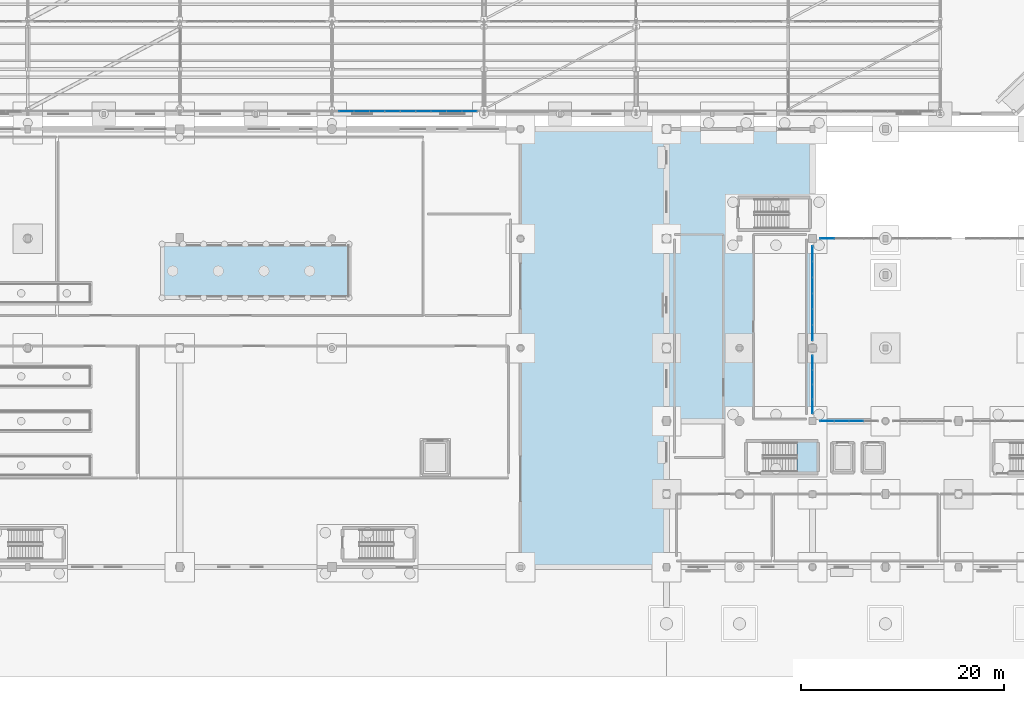
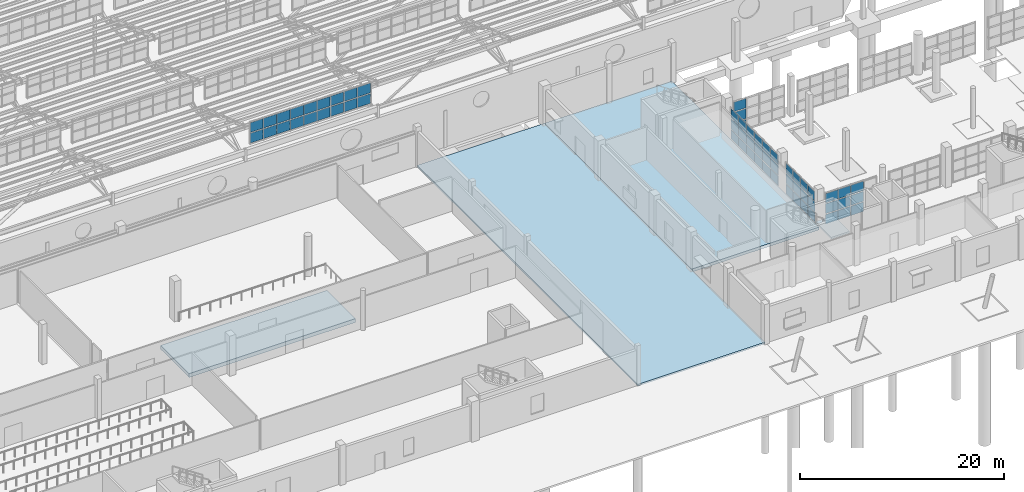
# One storey, part 163 of 285: 60 plates, 4 slabs, 6 elements without a shape of their own.
"""IFC4 building model written with IfcOpenShell, lengths in metres."""

import ifcopenshell
import ifcopenshell.guid

model = None  # the IFC model being written
_history = None  # IfcOwnerHistory: only IFC2X3 demands one
_inside = {}  # id of a spatial element -> (the spatial element, [elements in it])
_under = {}  # id of a project, library or spatial element -> (it, [spatial elements below it])
_declared = {}  # id of a project -> (the project, [libraries it declares])
_typed = {}  # id of a type object -> (the type object, [elements of that type])
_made_of = {}  # id of a material, layer set ... -> (it, [elements and type objects made of it])


def new_model(schema):
    """Start an empty IFC model of exactly this schema.

    Asked for "IFC4X3", IfcOpenShell would pick the latest addendum, in which some entities
    have other attributes; the version numbers below select the first issue.
    IFC2X3 requires an IfcOwnerHistory on every rooted entity: one is made here for all.
    """
    global model, _history
    if schema == "IFC4X3":
        model = ifcopenshell.file(schema_version=(4, 3, 0, 0))
    else:
        model = ifcopenshell.file(schema=schema)
    _inside.clear()
    _under.clear()
    _declared.clear()
    _typed.clear()
    _made_of.clear()
    _history = None
    if model.schema == "IFC2X3":
        org = make("IfcOrganization", Name="unknown")
        user = make(
            "IfcPersonAndOrganization",
            ThePerson=make("IfcPerson", FamilyName="unknown"),
            TheOrganization=org,
        )
        app = make(
            "IfcApplication",
            ApplicationDeveloper=org,
            Version="unknown",
            ApplicationFullName="unknown",
            ApplicationIdentifier="unknown",
        )
        _history = make(
            "IfcOwnerHistory",
            OwningUser=user,
            OwningApplication=app,
            ChangeAction="ADDED",
            CreationDate=0,
        )
    return model


def make(cls, **values):
    """One entity of the class cls with the attributes given. An attribute that is None is left unset."""
    return model.create_entity(
        cls, **{name: value for name, value in values.items() if value is not None}
    )


def rooted(cls, **values):
    """An entity with a GlobalId (a new one), such as an element, a storey or a relation."""
    return make(cls, GlobalId=ifcopenshell.guid.new(), OwnerHistory=_history, **values)


def si_unit(unit_type, name, prefix=None):
    """IfcSIUnit, for example si_unit("LENGTHUNIT", "METRE", prefix="MILLI")."""
    return make("IfcSIUnit", UnitType=unit_type, Prefix=prefix, Name=name)


def assignment(units):
    """IfcUnitAssignment: the units of a project."""
    return None if units is None else make("IfcUnitAssignment", Units=units)


def point(xyz):
    """IfcCartesianPoint."""
    return None if xyz is None else make("IfcCartesianPoint", Coordinates=xyz)


def direction(xyz):
    """IfcDirection."""
    return None if xyz is None else make("IfcDirection", DirectionRatios=xyz)


def frame(location, z_axis=None, x_axis=None):
    """IfcAxis2Placement3D, a coordinate frame: its origin and axes. An axis left out is left unset."""
    return make(
        "IfcAxis2Placement3D",
        Location=point(location),
        Axis=direction(z_axis),
        RefDirection=direction(x_axis),
    )


def frame_2d(location, x_axis=None):
    """IfcAxis2Placement2D, a coordinate frame in the plane: its origin and x axis."""
    return make(
        "IfcAxis2Placement2D", Location=point(location), RefDirection=direction(x_axis)
    )


def origin():
    """The frame at (0, 0, 0) with its axes left unset."""
    return frame((0.0, 0.0, 0.0))


def origin_2d():
    """The frame at (0, 0) in the plane with its x axis left unset."""
    return frame_2d((0.0, 0.0))


def place(relative_to, where):
    """IfcLocalPlacement: puts the frame where relative to a parent placement (None: the world)."""
    return make(
        "IfcLocalPlacement", PlacementRelTo=relative_to, RelativePlacement=where
    )


def context(
    kind, dimensions, precision=None, world=None, true_north=None, identifier=None
):
    """IfcGeometricRepresentationContext, for example the 3D "Model" context."""
    return make(
        "IfcGeometricRepresentationContext",
        ContextIdentifier=identifier,
        ContextType=kind,
        CoordinateSpaceDimension=dimensions,
        Precision=precision,
        WorldCoordinateSystem=world,
        TrueNorth=true_north,
    )


def subcontext(parent, identifier, kind, view, scale=None):
    """IfcGeometricRepresentationSubContext, for example "Body" below "Model"."""
    return make(
        "IfcGeometricRepresentationSubContext",
        ContextIdentifier=identifier,
        ContextType=kind,
        ParentContext=parent,
        TargetScale=scale,
        TargetView=view,
    )


def project(units=None, contexts=None):
    """IfcProject with its units and contexts."""
    return rooted(
        "IfcProject",
        Name="project",
        RepresentationContexts=contexts,
        UnitsInContext=assignment(units),
    )


def spatial(cls, under=None, at=None, **own):
    """A site, building, storey or space (cls), placed at a placement, below another one or the project."""
    s = rooted(cls, ObjectPlacement=at, **own)
    if under is not None:
        _under.setdefault(under.id(), (under, []))[1].append(s)
    return s


def polyline(points):
    """IfcPolyline through the points."""
    return make("IfcPolyline", Points=[point(p) for p in points])


def profile(cls, at=None, kind="AREA", **sizes):
    """A parametric profile (cls). Its sizes go by their IFC names, for example OverallWidth=200.0."""
    return make(cls, ProfileType=kind, Position=at, **sizes)


def rectangle(**sizes):
    """IfcRectangleProfileDef."""
    return profile("IfcRectangleProfileDef", **sizes)


def outline(outer, holes=None, kind="AREA"):
    """IfcArbitraryClosedProfileDef: a profile drawn as a closed curve; with holes, ...WithVoids."""
    if holes is None:
        return make("IfcArbitraryClosedProfileDef", ProfileType=kind, OuterCurve=outer)
    return make(
        "IfcArbitraryProfileDefWithVoids",
        ProfileType=kind,
        OuterCurve=outer,
        InnerCurves=holes,
    )


def extrude(swept, where, along, depth):
    """IfcExtrudedAreaSolid: the profile swept, set in the frame where, extruded along a direction by depth."""
    return make(
        "IfcExtrudedAreaSolid",
        SweptArea=swept,
        Position=where,
        ExtrudedDirection=direction(along),
        Depth=depth,
    )


def shape(context_of_items, identifier, shape_type, items):
    """IfcShapeRepresentation: the items that make up one representation, for example the "Body"."""
    return make(
        "IfcShapeRepresentation",
        ContextOfItems=context_of_items,
        RepresentationIdentifier=identifier,
        RepresentationType=shape_type,
        Items=items,
    )


def material(Name=None, Category=None):
    """IfcMaterial."""
    return make("IfcMaterial", Name=Name, Category=Category)


def layer(
    of_material, thickness, ventilated=None, Name=None, Category=None, Priority=None
):
    """IfcMaterialLayer: one layer of a wall or slab, of a material (None: an air gap)."""
    return make(
        "IfcMaterialLayer",
        Material=of_material,
        LayerThickness=thickness,
        IsVentilated=ventilated,
        Name=Name,
        Category=Category,
        Priority=Priority,
    )


def layer_set(layers, Name=None):
    """IfcMaterialLayerSet."""
    return make("IfcMaterialLayerSet", MaterialLayers=layers, LayerSetName=Name)


def made_of(thing, what):
    """Note that an element or type object is made of a material, layer set ...; save() writes the relation."""
    if what is not None:
        _made_of.setdefault(what.id(), (what, []))[1].append(thing)
    return thing


def type_object(cls, material=None, **own):
    """A type object (cls), such as IfcWallType, which elements share."""
    return made_of(rooted(cls, **own), material)


def element(
    cls,
    number,
    at=None,
    inside=None,
    cuts=None,
    type_object=None,
    material=None,
    context=None,
    identifier="Body",
    shape_type=None,
    held_by="IfcProductDefinitionShape",
    body=None,
    shapes=None,
    **own,
):
    """One element of the class cls, such as IfcWall. Its Tag is "e" and its number.

    at: its placement. inside: the storey or other place that contains it. cuts: it is an
    opening in that element (IfcRelVoidsElement). A single representation is given by context,
    identifier, shape_type and body (its items); several are given by shapes. held_by: the class
    of the entity that holds the representations. save() writes the other relations.
    """
    e = rooted(cls, Tag="e%d" % number, ObjectPlacement=at, **own)
    if body is not None:
        shapes = [shape(context, identifier, shape_type, body)]
    if shapes is not None:
        e.Representation = make(held_by, Representations=shapes)
    if inside is not None:
        _inside.setdefault(inside.id(), (inside, []))[1].append(e)
    if cuts is not None:
        rooted(
            "IfcRelVoidsElement", RelatingBuildingElement=cuts, RelatedOpeningElement=e
        )
    if type_object is not None:
        _typed.setdefault(type_object.id(), (type_object, []))[1].append(e)
    return made_of(e, material)


def aggregate(whole, parts):
    """IfcRelAggregates: a whole, such as a stair, and the parts it consists of."""
    return rooted("IfcRelAggregates", RelatingObject=whole, RelatedObjects=parts)


def save(model, path):
    """Write the relations noted so far, then the file.

    IfcRelAggregates (storeys below a building ...), IfcRelContainedInSpatialStructure (elements
    in a storey), IfcRelDefinesByType, IfcRelAssociatesMaterial and IfcRelDeclares: one each for
    every whole, place, type object, material and project.
    """
    for whole, parts in _under.values():
        aggregate(whole, parts)
    for where, things in _inside.values():
        rooted(
            "IfcRelContainedInSpatialStructure",
            RelatedElements=things,
            RelatingStructure=where,
        )
    for kind, things in _typed.values():
        rooted("IfcRelDefinesByType", RelatedObjects=things, RelatingType=kind)
    for what, things in _made_of.values():
        rooted("IfcRelAssociatesMaterial", RelatedObjects=things, RelatingMaterial=what)
    for by, libraries in _declared.values():
        rooted("IfcRelDeclares", RelatingContext=by, RelatedDefinitions=libraries)
    model.write(path)


model = new_model("IFC4")

# Units and contexts
model_context = context("Model", 3, precision=1e-05, world=origin(), true_north=direction((0.0, 1.0)))
body_context = subcontext(model_context, "Body", "Model", "MODEL_VIEW")
ifc_project = project(units=[si_unit("LENGTHUNIT", "METRE"), si_unit("AREAUNIT", "SQUARE_METRE"), si_unit("VOLUMEUNIT", "CUBIC_METRE"), si_unit("PLANEANGLEUNIT", "RADIAN"), si_unit("MASSUNIT", "GRAM", prefix="KILO")], contexts=[model_context])

# Site, building, storey
site_placement = place(None, origin())
site = spatial("IfcSite", under=ifc_project, at=site_placement, CompositionType="ELEMENT")
building_placement = place(site_placement, origin())
building = spatial("IfcBuilding", under=site, at=building_placement, Name="Solanera Park Tramway Depot", CompositionType="ELEMENT")
storey_placement = place(building_placement, origin())
storey = spatial("IfcBuildingStorey", under=building, at=storey_placement, Name="L00", CompositionType="ELEMENT", Elevation=0.0)

# Curtain wall, plates
ifc_material_1 = material(Name="Bronze-anodised thermally broken aluminium curtain wall", Category="aluminium")
curtain_wall_type_1 = type_object("IfcCurtainWallType", Name="Sawtooth Clerestory Monitor Curtain Wall", PredefinedType="NOTDEFINED", material=ifc_material_1)
curtain_wall_1_placement = place(storey_placement, origin())
curtain_wall_1 = element("IfcCurtainWall", 1, at=curtain_wall_1_placement, inside=storey, type_object=curtain_wall_type_1, Name="L00 Sawtooth Clerestory Monitor Curtain Wall #002", PredefinedType="NOTDEFINED")
ifc_material_2 = material(Name="Low-E laminated solar-control double glazing", Category="glass")
ifc_layer_1 = layer(ifc_material_2, 0.028076171875)
ifc_layer_set_1 = layer_set([ifc_layer_1], Name="Low-E laminated solar-control double glazing")
plate_type = type_object("IfcPlateType", Name="Curtain Wall Double Glazing Panel 28", PredefinedType="CURTAIN_PANEL", material=ifc_layer_set_1)
plate_1_placement = place(storey_placement, frame((76.427490234375, 55.75, 7.862060546875), z_axis=(0.0, 0.0, 1.0), x_axis=(1.0, 0.0, 0.0)))
plate_1 = element("IfcPlate", 2, at=plate_1_placement, type_object=plate_type, Name="CW-L00-002 Glazing Panel R1.C1", PredefinedType="CURTAIN_PANEL", context=body_context, shape_type="SweptSolid", body=[
    extrude(rectangle(XDim=1.437744140625, YDim=0.028076171875, at=origin_2d()), origin(), (0.0, 0.0, 1.0), 1.16650390625),
])
plate_2_placement = place(storey_placement, frame((77.933349609375, 55.75, 7.862060546875), z_axis=(0.0, 0.0, 1.0), x_axis=(1.0, 0.0, 0.0)))
plate_2 = element("IfcPlate", 3, at=plate_2_placement, type_object=plate_type, Name="CW-L00-002 Glazing Panel R1.C2", PredefinedType="CURTAIN_PANEL", context=body_context, shape_type="SweptSolid", body=[
    extrude(rectangle(XDim=1.47021484375, YDim=0.028076171875, at=origin_2d()), origin(), (0.0, 0.0, 1.0), 1.16650390625),
])
plate_3_placement = place(storey_placement, frame((79.45556640625, 55.75, 7.862060546875), z_axis=(0.0, 0.0, 1.0), x_axis=(1.0, 0.0, 0.0)))
plate_3 = element("IfcPlate", 4, at=plate_3_placement, type_object=plate_type, Name="CW-L00-002 Glazing Panel R1.C3", PredefinedType="CURTAIN_PANEL", context=body_context, shape_type="SweptSolid", body=[
    extrude(rectangle(XDim=1.47021484375, YDim=0.028076171875, at=origin_2d()), origin(), (0.0, 0.0, 1.0), 1.16650390625),
])
plate_4_placement = place(storey_placement, frame((80.977783203125, 55.75, 7.862060546875), z_axis=(0.0, 0.0, 1.0), x_axis=(1.0, 0.0, 0.0)))
plate_4 = element("IfcPlate", 5, at=plate_4_placement, type_object=plate_type, Name="CW-L00-002 Glazing Panel R1.C4", PredefinedType="CURTAIN_PANEL", context=body_context, shape_type="SweptSolid", body=[
    extrude(rectangle(XDim=1.47021484375, YDim=0.028076171875, at=origin_2d()), origin(), (0.0, 0.0, 1.0), 1.16650390625),
])
plate_5_placement = place(storey_placement, frame((82.5, 55.75, 7.862060546875), z_axis=(0.0, 0.0, 1.0), x_axis=(1.0, 0.0, 0.0)))
plate_5 = element("IfcPlate", 6, at=plate_5_placement, type_object=plate_type, Name="CW-L00-002 Glazing Panel R1.C5", PredefinedType="CURTAIN_PANEL", context=body_context, shape_type="SweptSolid", body=[
    extrude(rectangle(XDim=1.47021484375, YDim=0.028076171875, at=origin_2d()), origin(), (0.0, 0.0, 1.0), 1.16650390625),
])
plate_6_placement = place(storey_placement, frame((84.022216796875, 55.75, 7.862060546875), z_axis=(0.0, 0.0, 1.0), x_axis=(1.0, 0.0, 0.0)))
plate_6 = element("IfcPlate", 7, at=plate_6_placement, type_object=plate_type, Name="CW-L00-002 Glazing Panel R1.C6", PredefinedType="CURTAIN_PANEL", context=body_context, shape_type="SweptSolid", body=[
    extrude(rectangle(XDim=1.47021484375, YDim=0.028076171875, at=origin_2d()), origin(), (0.0, 0.0, 1.0), 1.16650390625),
])
plate_7_placement = place(storey_placement, frame((85.54443359375, 55.75, 7.862060546875), z_axis=(0.0, 0.0, 1.0), x_axis=(1.0, 0.0, 0.0)))
plate_7 = element("IfcPlate", 8, at=plate_7_placement, type_object=plate_type, Name="CW-L00-002 Glazing Panel R1.C7", PredefinedType="CURTAIN_PANEL", context=body_context, shape_type="SweptSolid", body=[
    extrude(rectangle(XDim=1.47021484375, YDim=0.028076171875, at=origin_2d()), origin(), (0.0, 0.0, 1.0), 1.16650390625),
])
plate_8_placement = place(storey_placement, frame((87.066650390625, 55.75, 7.862060546875), z_axis=(0.0, 0.0, 1.0), x_axis=(1.0, 0.0, 0.0)))
plate_8 = element("IfcPlate", 9, at=plate_8_placement, type_object=plate_type, Name="CW-L00-002 Glazing Panel R1.C8", PredefinedType="CURTAIN_PANEL", context=body_context, shape_type="SweptSolid", body=[
    extrude(rectangle(XDim=1.47021484375, YDim=0.028076171875, at=origin_2d()), origin(), (0.0, 0.0, 1.0), 1.16650390625),
])
plate_9_placement = place(storey_placement, frame((88.572509765625, 55.75, 7.862060546875), z_axis=(0.0, 0.0, 1.0), x_axis=(1.0, 0.0, 0.0)))
plate_9 = element("IfcPlate", 10, at=plate_9_placement, type_object=plate_type, Name="CW-L00-002 Glazing Panel R1.C9", PredefinedType="CURTAIN_PANEL", context=body_context, shape_type="SweptSolid", body=[
    extrude(rectangle(XDim=1.437744140625, YDim=0.028076171875, at=origin_2d()), origin(), (0.0, 0.0, 1.0), 1.16650390625),
])
plate_10_placement = place(storey_placement, frame((76.427490234375, 55.75, 9.132568359375), z_axis=(0.0, 0.0, 1.0), x_axis=(1.0, 0.0, 0.0)))
plate_10 = element("IfcPlate", 11, at=plate_10_placement, type_object=plate_type, Name="CW-L00-002 Glazing Panel R2.C1", PredefinedType="CURTAIN_PANEL", context=body_context, shape_type="SweptSolid", body=[
    extrude(rectangle(XDim=1.437744140625, YDim=0.028076171875, at=origin_2d()), origin(), (0.0, 0.0, 1.0), 1.16650390625),
])
plate_11_placement = place(storey_placement, frame((77.933349609375, 55.75, 9.132568359375), z_axis=(0.0, 0.0, 1.0), x_axis=(1.0, 0.0, 0.0)))
plate_11 = element("IfcPlate", 12, at=plate_11_placement, type_object=plate_type, Name="CW-L00-002 Glazing Panel R2.C2", PredefinedType="CURTAIN_PANEL", context=body_context, shape_type="SweptSolid", body=[
    extrude(rectangle(XDim=1.47021484375, YDim=0.028076171875, at=origin_2d()), origin(), (0.0, 0.0, 1.0), 1.16650390625),
])
plate_12_placement = place(storey_placement, frame((79.45556640625, 55.75, 9.132568359375), z_axis=(0.0, 0.0, 1.0), x_axis=(1.0, 0.0, 0.0)))
plate_12 = element("IfcPlate", 13, at=plate_12_placement, type_object=plate_type, Name="CW-L00-002 Glazing Panel R2.C3", PredefinedType="CURTAIN_PANEL", context=body_context, shape_type="SweptSolid", body=[
    extrude(rectangle(XDim=1.47021484375, YDim=0.028076171875, at=origin_2d()), origin(), (0.0, 0.0, 1.0), 1.16650390625),
])
plate_13_placement = place(storey_placement, frame((80.977783203125, 55.75, 9.132568359375), z_axis=(0.0, 0.0, 1.0), x_axis=(1.0, 0.0, 0.0)))
plate_13 = element("IfcPlate", 14, at=plate_13_placement, type_object=plate_type, Name="CW-L00-002 Glazing Panel R2.C4", PredefinedType="CURTAIN_PANEL", context=body_context, shape_type="SweptSolid", body=[
    extrude(rectangle(XDim=1.47021484375, YDim=0.028076171875, at=origin_2d()), origin(), (0.0, 0.0, 1.0), 1.16650390625),
])
plate_14_placement = place(storey_placement, frame((82.5, 55.75, 9.132568359375), z_axis=(0.0, 0.0, 1.0), x_axis=(1.0, 0.0, 0.0)))
plate_14 = element("IfcPlate", 15, at=plate_14_placement, type_object=plate_type, Name="CW-L00-002 Glazing Panel R2.C5", PredefinedType="CURTAIN_PANEL", context=body_context, shape_type="SweptSolid", body=[
    extrude(rectangle(XDim=1.47021484375, YDim=0.028076171875, at=origin_2d()), origin(), (0.0, 0.0, 1.0), 1.16650390625),
])
plate_15_placement = place(storey_placement, frame((84.022216796875, 55.75, 9.132568359375), z_axis=(0.0, 0.0, 1.0), x_axis=(1.0, 0.0, 0.0)))
plate_15 = element("IfcPlate", 16, at=plate_15_placement, type_object=plate_type, Name="CW-L00-002 Glazing Panel R2.C6", PredefinedType="CURTAIN_PANEL", context=body_context, shape_type="SweptSolid", body=[
    extrude(rectangle(XDim=1.47021484375, YDim=0.028076171875, at=origin_2d()), origin(), (0.0, 0.0, 1.0), 1.16650390625),
])
plate_16_placement = place(storey_placement, frame((85.54443359375, 55.75, 9.132568359375), z_axis=(0.0, 0.0, 1.0), x_axis=(1.0, 0.0, 0.0)))
plate_16 = element("IfcPlate", 17, at=plate_16_placement, type_object=plate_type, Name="CW-L00-002 Glazing Panel R2.C7", PredefinedType="CURTAIN_PANEL", context=body_context, shape_type="SweptSolid", body=[
    extrude(rectangle(XDim=1.47021484375, YDim=0.028076171875, at=origin_2d()), origin(), (0.0, 0.0, 1.0), 1.16650390625),
])
plate_17_placement = place(storey_placement, frame((87.066650390625, 55.75, 9.132568359375), z_axis=(0.0, 0.0, 1.0), x_axis=(1.0, 0.0, 0.0)))
plate_17 = element("IfcPlate", 18, at=plate_17_placement, type_object=plate_type, Name="CW-L00-002 Glazing Panel R2.C8", PredefinedType="CURTAIN_PANEL", context=body_context, shape_type="SweptSolid", body=[
    extrude(rectangle(XDim=1.47021484375, YDim=0.028076171875, at=origin_2d()), origin(), (0.0, 0.0, 1.0), 1.16650390625),
])
plate_18_placement = place(storey_placement, frame((88.572509765625, 55.75, 9.132568359375), z_axis=(0.0, 0.0, 1.0), x_axis=(1.0, 0.0, 0.0)))
plate_18 = element("IfcPlate", 19, at=plate_18_placement, type_object=plate_type, Name="CW-L00-002 Glazing Panel R2.C9", PredefinedType="CURTAIN_PANEL", context=body_context, shape_type="SweptSolid", body=[
    extrude(rectangle(XDim=1.437744140625, YDim=0.028076171875, at=origin_2d()), origin(), (0.0, 0.0, 1.0), 1.16650390625),
])
aggregate(curtain_wall_1, [plate_1, plate_2, plate_3, plate_4, plate_5, plate_6, plate_7, plate_8, plate_9, plate_10, plate_11, plate_12, plate_13, plate_14, plate_15, plate_16, plate_17, plate_18])

ifc_material_3 = material(Name="Bronze-anodised thermally broken aluminium curtain wall", Category="aluminium")
curtain_wall_type_2 = type_object("IfcCurtainWallType", Name="Courtyard Cloister Unitised Curtain Wall", PredefinedType="NOTDEFINED", material=ifc_material_3)
curtain_wall_2_placement = place(storey_placement, origin())
curtain_wall_2 = element("IfcCurtainWall", 20, at=curtain_wall_2_placement, inside=storey, type_object=curtain_wall_type_2, Name="L00 Courtyard Cloister Unitised Curtain Wall #072", PredefinedType="NOTDEFINED")
plate_19_placement = place(storey_placement, frame((123.84130859375, 25.199951171875, 0.11181640625), z_axis=(0.0, 0.0, 1.0), x_axis=(1.0, 0.0, 0.0)))
plate_19 = element("IfcPlate", 21, at=plate_19_placement, type_object=plate_type, Name="CW-L00-072 Glazing Panel R1.C1", PredefinedType="CURTAIN_PANEL", context=body_context, shape_type="SweptSolid", body=[
    extrude(rectangle(XDim=1.365478515625, YDim=0.028076171875, at=origin_2d()), origin(), (0.0, 0.0, 1.0), 1.119384765625),
])
plate_20_placement = place(storey_placement, frame((125.27490234375, 25.199951171875, 0.11181640625), z_axis=(0.0, 0.0, 1.0), x_axis=(1.0, 0.0, 0.0)))
plate_20 = element("IfcPlate", 22, at=plate_20_placement, type_object=plate_type, Name="CW-L00-072 Glazing Panel R1.C2", PredefinedType="CURTAIN_PANEL", context=body_context, shape_type="SweptSolid", body=[
    extrude(rectangle(XDim=1.39794921875, YDim=0.028076171875, at=origin_2d()), origin(), (0.0, 0.0, 1.0), 1.119384765625),
])
plate_21_placement = place(storey_placement, frame((126.72509765625, 25.199951171875, 0.11181640625), z_axis=(0.0, 0.0, 1.0), x_axis=(1.0, 0.0, 0.0)))
plate_21 = element("IfcPlate", 23, at=plate_21_placement, type_object=plate_type, Name="CW-L00-072 Glazing Panel R1.C3", PredefinedType="CURTAIN_PANEL", context=body_context, shape_type="SweptSolid", body=[
    extrude(rectangle(XDim=1.39794921875, YDim=0.028076171875, at=origin_2d()), origin(), (0.0, 0.0, 1.0), 1.119384765625),
])
plate_22_placement = place(storey_placement, frame((123.84130859375, 25.199951171875, 1.33544921875), z_axis=(0.0, 0.0, 1.0), x_axis=(1.0, 0.0, 0.0)))
plate_22 = element("IfcPlate", 24, at=plate_22_placement, type_object=plate_type, Name="CW-L00-072 Glazing Panel R2.C1", PredefinedType="CURTAIN_PANEL", context=body_context, shape_type="SweptSolid", body=[
    extrude(rectangle(XDim=1.365478515625, YDim=0.028076171875, at=origin_2d()), origin(), (0.0, 0.0, 1.0), 1.179443359375),
])
plate_23_placement = place(storey_placement, frame((125.27490234375, 25.199951171875, 1.33544921875), z_axis=(0.0, 0.0, 1.0), x_axis=(1.0, 0.0, 0.0)))
plate_23 = element("IfcPlate", 25, at=plate_23_placement, type_object=plate_type, Name="CW-L00-072 Glazing Panel R2.C2", PredefinedType="CURTAIN_PANEL", context=body_context, shape_type="SweptSolid", body=[
    extrude(rectangle(XDim=1.39794921875, YDim=0.028076171875, at=origin_2d()), origin(), (0.0, 0.0, 1.0), 1.179443359375),
])
plate_24_placement = place(storey_placement, frame((126.72509765625, 25.199951171875, 1.33544921875), z_axis=(0.0, 0.0, 1.0), x_axis=(1.0, 0.0, 0.0)))
plate_24 = element("IfcPlate", 26, at=plate_24_placement, type_object=plate_type, Name="CW-L00-072 Glazing Panel R2.C3", PredefinedType="CURTAIN_PANEL", context=body_context, shape_type="SweptSolid", body=[
    extrude(rectangle(XDim=1.39794921875, YDim=0.028076171875, at=origin_2d()), origin(), (0.0, 0.0, 1.0), 1.179443359375),
])
plate_25_placement = place(storey_placement, frame((123.84130859375, 25.199951171875, 2.61865234375), z_axis=(0.0, 0.0, 1.0), x_axis=(1.0, 0.0, 0.0)))
plate_25 = element("IfcPlate", 27, at=plate_25_placement, type_object=plate_type, Name="CW-L00-072 Glazing Panel R3.C1", PredefinedType="CURTAIN_PANEL", context=body_context, shape_type="SweptSolid", body=[
    extrude(rectangle(XDim=1.365478515625, YDim=0.028076171875, at=origin_2d()), origin(), (0.0, 0.0, 1.0), 1.119384765625),
])
plate_26_placement = place(storey_placement, frame((125.27490234375, 25.199951171875, 2.61865234375), z_axis=(0.0, 0.0, 1.0), x_axis=(1.0, 0.0, 0.0)))
plate_26 = element("IfcPlate", 28, at=plate_26_placement, type_object=plate_type, Name="CW-L00-072 Glazing Panel R3.C2", PredefinedType="CURTAIN_PANEL", context=body_context, shape_type="SweptSolid", body=[
    extrude(rectangle(XDim=1.39794921875, YDim=0.028076171875, at=origin_2d()), origin(), (0.0, 0.0, 1.0), 1.119384765625),
])
plate_27_placement = place(storey_placement, frame((126.72509765625, 25.199951171875, 2.61865234375), z_axis=(0.0, 0.0, 1.0), x_axis=(1.0, 0.0, 0.0)))
plate_27 = element("IfcPlate", 29, at=plate_27_placement, type_object=plate_type, Name="CW-L00-072 Glazing Panel R3.C3", PredefinedType="CURTAIN_PANEL", context=body_context, shape_type="SweptSolid", body=[
    extrude(rectangle(XDim=1.39794921875, YDim=0.028076171875, at=origin_2d()), origin(), (0.0, 0.0, 1.0), 1.119384765625),
])
aggregate(curtain_wall_2, [plate_19, plate_20, plate_21, plate_22, plate_23, plate_24, plate_25, plate_26, plate_27])

curtain_wall_3_placement = place(storey_placement, origin())
curtain_wall_3 = element("IfcCurtainWall", 30, at=curtain_wall_3_placement, inside=storey, type_object=curtain_wall_type_2, Name="L00 Courtyard Cloister Unitised Curtain Wall #078", PredefinedType="NOTDEFINED")
plate_28_placement = place(storey_placement, frame((123.84130859375, 43.199951171875, 0.11181640625), z_axis=(0.0, 0.0, 1.0), x_axis=(-1.0, 0.0, 0.0)))
plate_28 = element("IfcPlate", 31, at=plate_28_placement, type_object=plate_type, Name="CW-L00-078 Glazing Panel R1.C4", PredefinedType="CURTAIN_PANEL", context=body_context, shape_type="SweptSolid", body=[
    extrude(rectangle(XDim=1.365478515625, YDim=0.028076171875, at=origin_2d()), origin(), (0.0, 0.0, 1.0), 1.119384765625),
])
plate_29_placement = place(storey_placement, frame((123.84130859375, 43.199951171875, 1.33544921875), z_axis=(0.0, 0.0, 1.0), x_axis=(-1.0, 0.0, 0.0)))
plate_29 = element("IfcPlate", 32, at=plate_29_placement, type_object=plate_type, Name="CW-L00-078 Glazing Panel R2.C4", PredefinedType="CURTAIN_PANEL", context=body_context, shape_type="SweptSolid", body=[
    extrude(rectangle(XDim=1.365478515625, YDim=0.028076171875, at=origin_2d()), origin(), (0.0, 0.0, 1.0), 1.179443359375),
])
plate_30_placement = place(storey_placement, frame((123.84130859375, 43.199951171875, 2.61865234375), z_axis=(0.0, 0.0, 1.0), x_axis=(-1.0, 0.0, 0.0)))
plate_30 = element("IfcPlate", 33, at=plate_30_placement, type_object=plate_type, Name="CW-L00-078 Glazing Panel R3.C4", PredefinedType="CURTAIN_PANEL", context=body_context, shape_type="SweptSolid", body=[
    extrude(rectangle(XDim=1.365478515625, YDim=0.028076171875, at=origin_2d()), origin(), (0.0, 0.0, 1.0), 1.119384765625),
])
aggregate(curtain_wall_3, [plate_28, plate_29, plate_30])

curtain_wall_4_placement = place(storey_placement, origin())
curtain_wall_4 = element("IfcCurtainWall", 34, at=curtain_wall_4_placement, inside=storey, type_object=curtain_wall_type_2, Name="L00 Courtyard Cloister Unitised Curtain Wall #084", PredefinedType="NOTDEFINED")
plate_31_placement = place(storey_placement, frame((122.39990234375, 26.64111328125, 0.11181640625), z_axis=(0.0, 0.0, 1.0), x_axis=(0.0, 1.0, 0.0)))
plate_31 = element("IfcPlate", 35, at=plate_31_placement, type_object=plate_type, Name="CW-L00-084 Glazing Panel R1.C1", PredefinedType="CURTAIN_PANEL", context=body_context, shape_type="SweptSolid", body=[
    extrude(rectangle(XDim=1.365478515625, YDim=0.028076171875, at=origin_2d()), origin(), (0.0, 0.0, 1.0), 1.119384765625),
])
plate_32_placement = place(storey_placement, frame((122.39990234375, 28.074951171875, 0.11181640625), z_axis=(0.0, 0.0, 1.0), x_axis=(0.0, 1.0, 0.0)))
plate_32 = element("IfcPlate", 36, at=plate_32_placement, type_object=plate_type, Name="CW-L00-084 Glazing Panel R1.C2", PredefinedType="CURTAIN_PANEL", context=body_context, shape_type="SweptSolid", body=[
    extrude(rectangle(XDim=1.39794921875, YDim=0.028076171875, at=origin_2d()), origin(), (0.0, 0.0, 1.0), 1.119384765625),
])
plate_33_placement = place(storey_placement, frame((122.39990234375, 29.52490234375, 0.11181640625), z_axis=(0.0, 0.0, 1.0), x_axis=(0.0, 1.0, 0.0)))
plate_33 = element("IfcPlate", 37, at=plate_33_placement, type_object=plate_type, Name="CW-L00-084 Glazing Panel R1.C3", PredefinedType="CURTAIN_PANEL", context=body_context, shape_type="SweptSolid", body=[
    extrude(rectangle(XDim=1.39794921875, YDim=0.028076171875, at=origin_2d()), origin(), (0.0, 0.0, 1.0), 1.119384765625),
])
plate_34_placement = place(storey_placement, frame((122.39990234375, 30.958740234375, 0.11181640625), z_axis=(0.0, 0.0, 1.0), x_axis=(0.0, 1.0, 0.0)))
plate_34 = element("IfcPlate", 38, at=plate_34_placement, type_object=plate_type, Name="CW-L00-084 Glazing Panel R1.C4", PredefinedType="CURTAIN_PANEL", context=body_context, shape_type="SweptSolid", body=[
    extrude(rectangle(XDim=1.365478515625, YDim=0.028076171875, at=origin_2d()), origin(), (0.0, 0.0, 1.0), 1.119384765625),
])
plate_35_placement = place(storey_placement, frame((122.39990234375, 26.64111328125, 1.33544921875), z_axis=(0.0, 0.0, 1.0), x_axis=(0.0, 1.0, 0.0)))
plate_35 = element("IfcPlate", 39, at=plate_35_placement, type_object=plate_type, Name="CW-L00-084 Glazing Panel R2.C1", PredefinedType="CURTAIN_PANEL", context=body_context, shape_type="SweptSolid", body=[
    extrude(rectangle(XDim=1.365478515625, YDim=0.028076171875, at=origin_2d()), origin(), (0.0, 0.0, 1.0), 1.179443359375),
])
plate_36_placement = place(storey_placement, frame((122.39990234375, 28.074951171875, 1.33544921875), z_axis=(0.0, 0.0, 1.0), x_axis=(0.0, 1.0, 0.0)))
plate_36 = element("IfcPlate", 40, at=plate_36_placement, type_object=plate_type, Name="CW-L00-084 Glazing Panel R2.C2", PredefinedType="CURTAIN_PANEL", context=body_context, shape_type="SweptSolid", body=[
    extrude(rectangle(XDim=1.39794921875, YDim=0.028076171875, at=origin_2d()), origin(), (0.0, 0.0, 1.0), 1.179443359375),
])
plate_37_placement = place(storey_placement, frame((122.39990234375, 29.52490234375, 1.33544921875), z_axis=(0.0, 0.0, 1.0), x_axis=(0.0, 1.0, 0.0)))
plate_37 = element("IfcPlate", 41, at=plate_37_placement, type_object=plate_type, Name="CW-L00-084 Glazing Panel R2.C3", PredefinedType="CURTAIN_PANEL", context=body_context, shape_type="SweptSolid", body=[
    extrude(rectangle(XDim=1.39794921875, YDim=0.028076171875, at=origin_2d()), origin(), (0.0, 0.0, 1.0), 1.179443359375),
])
plate_38_placement = place(storey_placement, frame((122.39990234375, 30.958740234375, 1.33544921875), z_axis=(0.0, 0.0, 1.0), x_axis=(0.0, 1.0, 0.0)))
plate_38 = element("IfcPlate", 42, at=plate_38_placement, type_object=plate_type, Name="CW-L00-084 Glazing Panel R2.C4", PredefinedType="CURTAIN_PANEL", context=body_context, shape_type="SweptSolid", body=[
    extrude(rectangle(XDim=1.365478515625, YDim=0.028076171875, at=origin_2d()), origin(), (0.0, 0.0, 1.0), 1.179443359375),
])
plate_39_placement = place(storey_placement, frame((122.39990234375, 26.64111328125, 2.61865234375), z_axis=(0.0, 0.0, 1.0), x_axis=(0.0, 1.0, 0.0)))
plate_39 = element("IfcPlate", 43, at=plate_39_placement, type_object=plate_type, Name="CW-L00-084 Glazing Panel R3.C1", PredefinedType="CURTAIN_PANEL", context=body_context, shape_type="SweptSolid", body=[
    extrude(rectangle(XDim=1.365478515625, YDim=0.028076171875, at=origin_2d()), origin(), (0.0, 0.0, 1.0), 1.119384765625),
])
plate_40_placement = place(storey_placement, frame((122.39990234375, 28.074951171875, 2.61865234375), z_axis=(0.0, 0.0, 1.0), x_axis=(0.0, 1.0, 0.0)))
plate_40 = element("IfcPlate", 44, at=plate_40_placement, type_object=plate_type, Name="CW-L00-084 Glazing Panel R3.C2", PredefinedType="CURTAIN_PANEL", context=body_context, shape_type="SweptSolid", body=[
    extrude(rectangle(XDim=1.39794921875, YDim=0.028076171875, at=origin_2d()), origin(), (0.0, 0.0, 1.0), 1.119384765625),
])
plate_41_placement = place(storey_placement, frame((122.39990234375, 29.52490234375, 2.61865234375), z_axis=(0.0, 0.0, 1.0), x_axis=(0.0, 1.0, 0.0)))
plate_41 = element("IfcPlate", 45, at=plate_41_placement, type_object=plate_type, Name="CW-L00-084 Glazing Panel R3.C3", PredefinedType="CURTAIN_PANEL", context=body_context, shape_type="SweptSolid", body=[
    extrude(rectangle(XDim=1.39794921875, YDim=0.028076171875, at=origin_2d()), origin(), (0.0, 0.0, 1.0), 1.119384765625),
])
plate_42_placement = place(storey_placement, frame((122.39990234375, 30.958740234375, 2.61865234375), z_axis=(0.0, 0.0, 1.0), x_axis=(0.0, 1.0, 0.0)))
plate_42 = element("IfcPlate", 46, at=plate_42_placement, type_object=plate_type, Name="CW-L00-084 Glazing Panel R3.C4", PredefinedType="CURTAIN_PANEL", context=body_context, shape_type="SweptSolid", body=[
    extrude(rectangle(XDim=1.365478515625, YDim=0.028076171875, at=origin_2d()), origin(), (0.0, 0.0, 1.0), 1.119384765625),
])
aggregate(curtain_wall_4, [plate_31, plate_32, plate_33, plate_34, plate_35, plate_36, plate_37, plate_38, plate_39, plate_40, plate_41, plate_42])

curtain_wall_5_placement = place(storey_placement, origin())
curtain_wall_5 = element("IfcCurtainWall", 47, at=curtain_wall_5_placement, inside=storey, type_object=curtain_wall_type_2, Name="L00 Courtyard Cloister Unitised Curtain Wall #086", PredefinedType="NOTDEFINED")
plate_43_placement = place(storey_placement, frame((122.39990234375, 33.899658203125, 0.11181640625), z_axis=(0.0, 0.0, 1.0), x_axis=(0.0, 1.0, 0.0)))
plate_43 = element("IfcPlate", 48, at=plate_43_placement, type_object=plate_type, Name="CW-L00-086 Glazing Panel R1.C1", PredefinedType="CURTAIN_PANEL", context=body_context, shape_type="SweptSolid", body=[
    extrude(rectangle(XDim=1.482177734375, YDim=0.028076171875, at=origin_2d()), origin(), (0.0, 0.0, 1.0), 1.119384765625),
])
plate_44_placement = place(storey_placement, frame((122.39990234375, 35.449951171875, 0.11181640625), z_axis=(0.0, 0.0, 1.0), x_axis=(0.0, 1.0, 0.0)))
plate_44 = element("IfcPlate", 49, at=plate_44_placement, type_object=plate_type, Name="CW-L00-086 Glazing Panel R1.C2", PredefinedType="CURTAIN_PANEL", context=body_context, shape_type="SweptSolid", body=[
    extrude(rectangle(XDim=1.5146484375, YDim=0.028076171875, at=origin_2d()), origin(), (0.0, 0.0, 1.0), 1.119384765625),
])
plate_45_placement = place(storey_placement, frame((122.39990234375, 37.0166015625, 0.11181640625), z_axis=(0.0, 0.0, 1.0), x_axis=(0.0, 1.0, 0.0)))
plate_45 = element("IfcPlate", 50, at=plate_45_placement, type_object=plate_type, Name="CW-L00-086 Glazing Panel R1.C3", PredefinedType="CURTAIN_PANEL", context=body_context, shape_type="SweptSolid", body=[
    extrude(rectangle(XDim=1.5146484375, YDim=0.028076171875, at=origin_2d()), origin(), (0.0, 0.0, 1.0), 1.119384765625),
])
plate_46_placement = place(storey_placement, frame((122.39990234375, 38.583251953125, 0.11181640625), z_axis=(0.0, 0.0, 1.0), x_axis=(0.0, 1.0, 0.0)))
plate_46 = element("IfcPlate", 51, at=plate_46_placement, type_object=plate_type, Name="CW-L00-086 Glazing Panel R1.C4", PredefinedType="CURTAIN_PANEL", context=body_context, shape_type="SweptSolid", body=[
    extrude(rectangle(XDim=1.5146484375, YDim=0.028076171875, at=origin_2d()), origin(), (0.0, 0.0, 1.0), 1.119384765625),
])
plate_47_placement = place(storey_placement, frame((122.39990234375, 40.14990234375, 0.11181640625), z_axis=(0.0, 0.0, 1.0), x_axis=(0.0, 1.0, 0.0)))
plate_47 = element("IfcPlate", 52, at=plate_47_placement, type_object=plate_type, Name="CW-L00-086 Glazing Panel R1.C5", PredefinedType="CURTAIN_PANEL", context=body_context, shape_type="SweptSolid", body=[
    extrude(rectangle(XDim=1.5146484375, YDim=0.028076171875, at=origin_2d()), origin(), (0.0, 0.0, 1.0), 1.119384765625),
])
plate_48_placement = place(storey_placement, frame((122.39990234375, 41.700439453125, 0.11181640625), z_axis=(0.0, 0.0, 1.0), x_axis=(0.0, 1.0, 0.0)))
plate_48 = element("IfcPlate", 53, at=plate_48_placement, type_object=plate_type, Name="CW-L00-086 Glazing Panel R1.C6", PredefinedType="CURTAIN_PANEL", context=body_context, shape_type="SweptSolid", body=[
    extrude(rectangle(XDim=1.482177734375, YDim=0.028076171875, at=origin_2d()), origin(), (0.0, 0.0, 1.0), 1.119384765625),
])
plate_49_placement = place(storey_placement, frame((122.39990234375, 33.899658203125, 1.33544921875), z_axis=(0.0, 0.0, 1.0), x_axis=(0.0, 1.0, 0.0)))
plate_49 = element("IfcPlate", 54, at=plate_49_placement, type_object=plate_type, Name="CW-L00-086 Glazing Panel R2.C1", PredefinedType="CURTAIN_PANEL", context=body_context, shape_type="SweptSolid", body=[
    extrude(rectangle(XDim=1.482177734375, YDim=0.028076171875, at=origin_2d()), origin(), (0.0, 0.0, 1.0), 1.179443359375),
])
plate_50_placement = place(storey_placement, frame((122.39990234375, 35.449951171875, 1.33544921875), z_axis=(0.0, 0.0, 1.0), x_axis=(0.0, 1.0, 0.0)))
plate_50 = element("IfcPlate", 55, at=plate_50_placement, type_object=plate_type, Name="CW-L00-086 Glazing Panel R2.C2", PredefinedType="CURTAIN_PANEL", context=body_context, shape_type="SweptSolid", body=[
    extrude(rectangle(XDim=1.5146484375, YDim=0.028076171875, at=origin_2d()), origin(), (0.0, 0.0, 1.0), 1.179443359375),
])
plate_51_placement = place(storey_placement, frame((122.39990234375, 37.0166015625, 1.33544921875), z_axis=(0.0, 0.0, 1.0), x_axis=(0.0, 1.0, 0.0)))
plate_51 = element("IfcPlate", 56, at=plate_51_placement, type_object=plate_type, Name="CW-L00-086 Glazing Panel R2.C3", PredefinedType="CURTAIN_PANEL", context=body_context, shape_type="SweptSolid", body=[
    extrude(rectangle(XDim=1.5146484375, YDim=0.028076171875, at=origin_2d()), origin(), (0.0, 0.0, 1.0), 1.179443359375),
])
plate_52_placement = place(storey_placement, frame((122.39990234375, 38.583251953125, 1.33544921875), z_axis=(0.0, 0.0, 1.0), x_axis=(0.0, 1.0, 0.0)))
plate_52 = element("IfcPlate", 57, at=plate_52_placement, type_object=plate_type, Name="CW-L00-086 Glazing Panel R2.C4", PredefinedType="CURTAIN_PANEL", context=body_context, shape_type="SweptSolid", body=[
    extrude(rectangle(XDim=1.5146484375, YDim=0.028076171875, at=origin_2d()), origin(), (0.0, 0.0, 1.0), 1.179443359375),
])
plate_53_placement = place(storey_placement, frame((122.39990234375, 40.14990234375, 1.33544921875), z_axis=(0.0, 0.0, 1.0), x_axis=(0.0, 1.0, 0.0)))
plate_53 = element("IfcPlate", 58, at=plate_53_placement, type_object=plate_type, Name="CW-L00-086 Glazing Panel R2.C5", PredefinedType="CURTAIN_PANEL", context=body_context, shape_type="SweptSolid", body=[
    extrude(rectangle(XDim=1.5146484375, YDim=0.028076171875, at=origin_2d()), origin(), (0.0, 0.0, 1.0), 1.179443359375),
])
plate_54_placement = place(storey_placement, frame((122.39990234375, 41.700439453125, 1.33544921875), z_axis=(0.0, 0.0, 1.0), x_axis=(0.0, 1.0, 0.0)))
plate_54 = element("IfcPlate", 59, at=plate_54_placement, type_object=plate_type, Name="CW-L00-086 Glazing Panel R2.C6", PredefinedType="CURTAIN_PANEL", context=body_context, shape_type="SweptSolid", body=[
    extrude(rectangle(XDim=1.482177734375, YDim=0.028076171875, at=origin_2d()), origin(), (0.0, 0.0, 1.0), 1.179443359375),
])
plate_55_placement = place(storey_placement, frame((122.39990234375, 33.899658203125, 2.61865234375), z_axis=(0.0, 0.0, 1.0), x_axis=(0.0, 1.0, 0.0)))
plate_55 = element("IfcPlate", 60, at=plate_55_placement, type_object=plate_type, Name="CW-L00-086 Glazing Panel R3.C1", PredefinedType="CURTAIN_PANEL", context=body_context, shape_type="SweptSolid", body=[
    extrude(rectangle(XDim=1.482177734375, YDim=0.028076171875, at=origin_2d()), origin(), (0.0, 0.0, 1.0), 1.119384765625),
])
plate_56_placement = place(storey_placement, frame((122.39990234375, 35.449951171875, 2.61865234375), z_axis=(0.0, 0.0, 1.0), x_axis=(0.0, 1.0, 0.0)))
plate_56 = element("IfcPlate", 61, at=plate_56_placement, type_object=plate_type, Name="CW-L00-086 Glazing Panel R3.C2", PredefinedType="CURTAIN_PANEL", context=body_context, shape_type="SweptSolid", body=[
    extrude(rectangle(XDim=1.5146484375, YDim=0.028076171875, at=origin_2d()), origin(), (0.0, 0.0, 1.0), 1.119384765625),
])
plate_57_placement = place(storey_placement, frame((122.39990234375, 37.0166015625, 2.61865234375), z_axis=(0.0, 0.0, 1.0), x_axis=(0.0, 1.0, 0.0)))
plate_57 = element("IfcPlate", 62, at=plate_57_placement, type_object=plate_type, Name="CW-L00-086 Glazing Panel R3.C3", PredefinedType="CURTAIN_PANEL", context=body_context, shape_type="SweptSolid", body=[
    extrude(rectangle(XDim=1.5146484375, YDim=0.028076171875, at=origin_2d()), origin(), (0.0, 0.0, 1.0), 1.119384765625),
])
plate_58_placement = place(storey_placement, frame((122.39990234375, 38.583251953125, 2.61865234375), z_axis=(0.0, 0.0, 1.0), x_axis=(0.0, 1.0, 0.0)))
plate_58 = element("IfcPlate", 63, at=plate_58_placement, type_object=plate_type, Name="CW-L00-086 Glazing Panel R3.C4", PredefinedType="CURTAIN_PANEL", context=body_context, shape_type="SweptSolid", body=[
    extrude(rectangle(XDim=1.5146484375, YDim=0.028076171875, at=origin_2d()), origin(), (0.0, 0.0, 1.0), 1.119384765625),
])
plate_59_placement = place(storey_placement, frame((122.39990234375, 40.14990234375, 2.61865234375), z_axis=(0.0, 0.0, 1.0), x_axis=(0.0, 1.0, 0.0)))
plate_59 = element("IfcPlate", 64, at=plate_59_placement, type_object=plate_type, Name="CW-L00-086 Glazing Panel R3.C5", PredefinedType="CURTAIN_PANEL", context=body_context, shape_type="SweptSolid", body=[
    extrude(rectangle(XDim=1.5146484375, YDim=0.028076171875, at=origin_2d()), origin(), (0.0, 0.0, 1.0), 1.119384765625),
])
plate_60_placement = place(storey_placement, frame((122.39990234375, 41.700439453125, 2.61865234375), z_axis=(0.0, 0.0, 1.0), x_axis=(0.0, 1.0, 0.0)))
plate_60 = element("IfcPlate", 65, at=plate_60_placement, type_object=plate_type, Name="CW-L00-086 Glazing Panel R3.C6", PredefinedType="CURTAIN_PANEL", context=body_context, shape_type="SweptSolid", body=[
    extrude(rectangle(XDim=1.482177734375, YDim=0.028076171875, at=origin_2d()), origin(), (0.0, 0.0, 1.0), 1.119384765625),
])
aggregate(curtain_wall_5, [plate_43, plate_44, plate_45, plate_46, plate_47, plate_48, plate_49, plate_50, plate_51, plate_52, plate_53, plate_54, plate_55, plate_56, plate_57, plate_58, plate_59, plate_60])

# Slabs
ifc_material_4 = material(Name="Concrete N40 (C40/50)", Category="concrete")
ifc_layer_2 = layer(ifc_material_4, 0.35009765625)
ifc_layer_set_2 = layer_set([ifc_layer_2], Name="Concrete N40 (C40/50)")
slab_type_1 = type_object("IfcSlabType", Name="Slab Base 350", PredefinedType="BASESLAB", material=ifc_layer_set_2)
slab_1_placement = place(storey_placement, frame((0.0, 0.0, -0.35009765625)))
element("IfcSlab", 66, at=slab_1_placement, inside=storey, type_object=slab_type_1, Name="L00 Structural Slab SL-L00-V4W", PredefinedType="BASESLAB", context=body_context, shape_type="SweptSolid", body=[
    extrude(outline(polyline([(122.39990234375, 25.199951171875), (122.39990234375, 54.0), (108.0, 54.0), (108.0, 25.199951171875), (122.39990234375, 25.199951171875)])), origin(), (0.0, 0.0, 1.0), 0.35009765625),
])
ifc_material_5 = material(Name="Concrete N40 (C40/50)", Category="concrete")
ifc_layer_3 = layer(ifc_material_5, 0.449951171875)
ifc_layer_set_3 = layer_set([ifc_layer_3], Name="Concrete N40 (C40/50)")
slab_type_2 = type_object("IfcSlabType", Name="Slab Base 450", PredefinedType="BASESLAB", material=ifc_layer_set_3)
slab_2_placement = place(storey_placement, frame((0.0, 0.0, -2.75)))
element("IfcSlab", 67, at=slab_2_placement, inside=storey, type_object=slab_type_2, Name="Sunken Pit Base Slab PIT-WL", PredefinedType="BASESLAB", context=body_context, shape_type="SweptSolid", body=[
    extrude(outline(polyline([(76.89990234375, 37.199951171875), (76.89990234375, 42.800048828125), (58.10009765625, 42.800048828125), (58.10009765625, 37.199951171875), (76.89990234375, 37.199951171875)])), origin(), (0.0, 0.0, 1.0), 0.449951171875),
])
ifc_material_6 = material(Name="Concrete N40 (C40/50)", Category="concrete")
ifc_layer_4 = layer(ifc_material_6, 0.199951171875)
ifc_layer_set_4 = layer_set([ifc_layer_4], Name="Concrete N40 (C40/50)")
slab_type_3 = type_object("IfcSlabType", Name="Slab Ext 200", PredefinedType="FLOOR", material=ifc_layer_set_4)
slab_3_placement = place(storey_placement, frame((0.0, 0.0, -0.199951171875)))
element("IfcSlab", 68, at=slab_3_placement, inside=storey, type_object=slab_type_3, Name="Zaguan Service Breezeway Apron", PredefinedType="FLOOR", context=body_context, shape_type="SweptSolid", body=[
    extrude(outline(polyline([(108.0, 10.800048828125), (108.0, 54.0), (93.60009765625, 54.0), (93.60009765625, 10.800048828125), (108.0, 10.800048828125)])), origin(), (0.0, 0.0, 1.0), 0.199951171875),
])

# Stair, slab
ifc_material_7 = material(Name="Concrete N40 (C40/50)", Category="concrete")
stair_type = type_object("IfcStairType", Name="Stair Half-Turn Dogleg 4800", PredefinedType="HALF_TURN_STAIR", material=ifc_material_7)
stair_placement = place(storey_placement, origin())
stair = element("IfcStair", 69, at=stair_placement, inside=storey, type_object=stair_type, Name="ST-01 L00 Half-Turn Stair", PredefinedType="HALF_TURN_STAIR")
ifc_material_8 = material(Name="Concrete N40 (C40/50)", Category="concrete")
ifc_layer_5 = layer(ifc_material_8, 0.199951171875)
ifc_layer_set_5 = layer_set([ifc_layer_5], Name="Concrete N40 (C40/50)")
slab_type_4 = type_object("IfcSlabType", Name="Slab Stair Landing 200", PredefinedType="LANDING", material=ifc_layer_set_5)
slab_4_placement = place(storey_placement, frame((0.0, 0.0, 2.199951171875)))
slab_4 = element("IfcSlab", 70, at=slab_4_placement, type_object=slab_type_4, Name="ST-01 L00 Half-Landing 1", PredefinedType="LANDING", context=body_context, shape_type="SweptSolid", body=[
    extrude(outline(polyline([(120.860107421875, 20.080078125), (122.919921875, 20.080078125), (122.919921875, 23.219970703125), (120.860107421875, 23.219970703125), (120.860107421875, 20.080078125)])), origin(), (0.0, 0.0, 1.0), 0.199951171875),
])
aggregate(stair, [slab_4])

save(model, "model.ifc")
